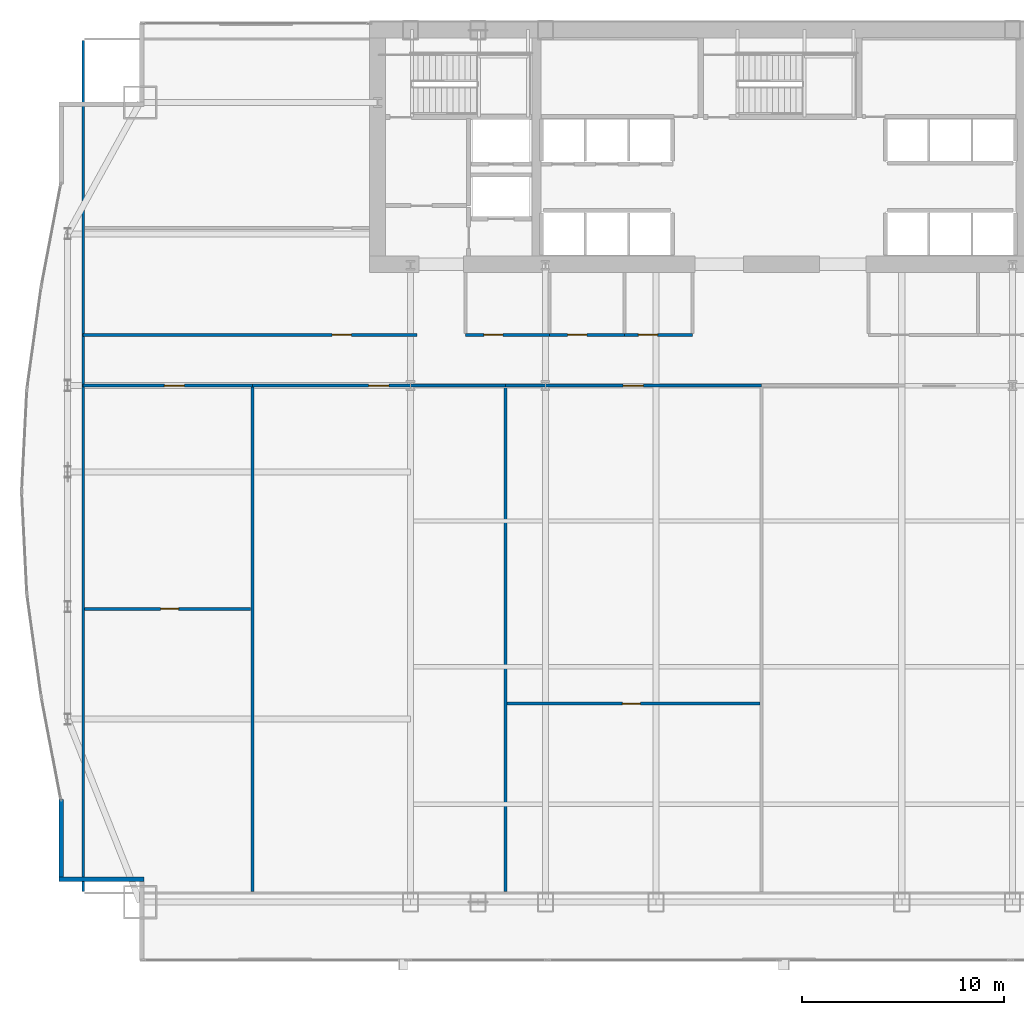
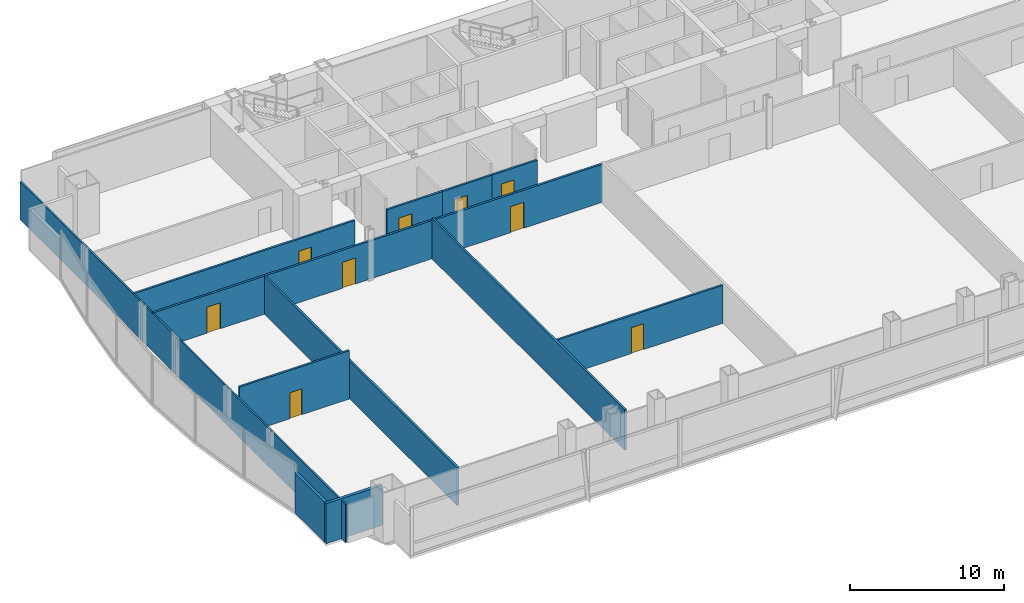
# One storey, part 30 of 37: 14 walls, 9 doors, 9 openings.
"""IFC4 building model written with IfcOpenShell, lengths in metres."""

from ifc_helpers import new_model, si_unit, direction, frame, frame_2d, origin, place, context, subcontext, project, spatial, rectangle, extrude, material, layer, layer_set, type_object, element, fill, save


model = new_model("IFC4")

# Units and contexts
model_context = context("Model", 3, precision=1e-05, world=origin(), true_north=direction((0.0, 1.0)))
body_context = subcontext(model_context, "Body", "Model", "MODEL_VIEW")
ifc_project = project(units=[si_unit("LENGTHUNIT", "METRE"), si_unit("AREAUNIT", "SQUARE_METRE"), si_unit("VOLUMEUNIT", "CUBIC_METRE"), si_unit("PLANEANGLEUNIT", "RADIAN"), si_unit("MASSUNIT", "GRAM", prefix="KILO")], contexts=[model_context])

# Site, building, storey
site_placement = place(None, origin())
site = spatial("IfcSite", under=ifc_project, at=site_placement, CompositionType="ELEMENT")
building_placement = place(site_placement, origin())
building = spatial("IfcBuilding", under=site, at=building_placement, Name="Khoronbel Lancet Exchange", CompositionType="ELEMENT")
storey_placement = place(building_placement, frame((0.0, 0.0, 45.800048828125)))
storey = spatial("IfcBuildingStorey", under=building, at=storey_placement, Name="L10", CompositionType="ELEMENT", Elevation=45.800048828125)

# Walls
ifc_material_1 = material(Name="Precast concrete C40/50", Category="concrete")
ifc_layer_1 = layer(ifc_material_1, 0.25, Name="Precast concrete C40/50")
ifc_layer_set_1 = layer_set([ifc_layer_1], Name="Precast concrete C40/50")
wall_type_1 = type_object("IfcWallType", Name="WL-EXT250", PredefinedType="SOLIDWALL", material=ifc_layer_set_1)
wall_1_placement = place(storey_placement, frame((5.050048828125, 11.2900390625, 0.0), z_axis=(0.0, 0.0, 1.0), x_axis=(-1.0, 0.0, 0.0)))
element("IfcWall", 1, at=wall_1_placement, inside=storey, type_object=wall_type_1, Name="Level L10 notched-corner limestone pier 02", PredefinedType="SOLIDWALL", context=body_context, shape_type="SweptSolid", body=[
    extrude(rectangle(XDim=4.219970703125, YDim=0.219970703125, at=frame_2d((2.10986328125, 0.0))), origin(), (0.0, 0.0, 1.0), 3.159912109375),
])
wall_2_placement = place(storey_placement, frame((0.93994140625, 11.39990234375, 0.0), z_axis=(0.0, 0.0, 1.0), x_axis=(0.0, 1.0, 0.0)))
element("IfcWall", 2, at=wall_2_placement, inside=storey, type_object=wall_type_1, Name="Level L10 notched-corner limestone pier 03", PredefinedType="SOLIDWALL", context=body_context, shape_type="SweptSolid", body=[
    extrude(rectangle(XDim=3.82861328125, YDim=0.219970703125, at=frame_2d((1.914306640625, 0.0))), origin(), (0.0, 0.0, 1.0), 3.159912109375),
])

# Wall, opening, door
ifc_material_2 = material(Name="Acoustic Metal-Stud & Mineral-Wool Gypsum Partition 120 mm", Category="gypsum")
ifc_layer_2 = layer(ifc_material_2, 0.1201171875, Name="Acoustic Metal-Stud & Mineral-Wool Gypsum Partition 120 mm")
ifc_layer_set_2 = layer_set([ifc_layer_2], Name="Acoustic Metal-Stud & Mineral-Wool Gypsum Partition 120 mm")
wall_type_2 = type_object("IfcWallType", Name="WL-PRT120", PredefinedType="PARTITIONING", material=ifc_layer_set_2)
wall_3_placement = place(storey_placement, frame((2.094970703125, 24.656005859375, 0.0), z_axis=(0.0, 0.0, 1.0), x_axis=(1.0, 0.0, 0.0)))
wall_3 = element("IfcWall", 3, at=wall_3_placement, inside=storey, type_object=wall_type_2, Name="Level L10 interior partition PW-Z1S-H1", PredefinedType="PARTITIONING", context=body_context, shape_type="SweptSolid", body=[
    extrude(rectangle(XDim=8.225341796875, YDim=0.14990234375, at=frame_2d((4.11279296875, 0.0))), origin(), (0.0, 0.0, 1.0), 3.820068359375),
])
opening_1_placement = place(wall_3_placement, frame((3.7666015625, 0.0, 0.0)))
opening_1 = element("IfcOpeningElement", 4, at=opening_1_placement, cuts=wall_3, Name="Opening D5", PredefinedType="OPENING", context=body_context, shape_type="SweptSolid", body=[
    extrude(rectangle(XDim=0.89990234375, YDim=2.050048828125, at=frame_2d((0.449951171875, 1.02490234375))), frame((0.0, 0.0849609375, 0.0), z_axis=(0.0, -1.0, 0.0), x_axis=(1.0, 0.0, 0.0)), (0.0, 0.0, 1.0), 0.169921875),
])
ifc_material_3 = material(Name="Acoustic Timber Pantry & Support Door", Category="wood")
door_type_1 = type_object("IfcDoorType", Name="DR-D5", OperationType="NOTDEFINED", PredefinedType="DOOR", material=ifc_material_3)
door_1_placement = place(opening_1_placement, origin())
door_1 = element("IfcDoor", 5, at=door_1_placement, inside=storey, type_object=door_type_1, Name="Z1S inner door 1 L10-1", OperationType="SINGLE_SWING_RIGHT", OverallHeight=2.050048828125, OverallWidth=0.89990234375, PredefinedType="DOOR", context=body_context, shape_type="SweptSolid", body=[
    extrude(rectangle(XDim=0.89990234375, YDim=2.050048828125, at=frame_2d((0.449951171875, 1.02490234375))), frame((0.0, 0.02490234375, 0.0), z_axis=(0.0, -1.0, 0.0), x_axis=(1.0, 0.0, 0.0)), (0.0, 0.0, 1.0), 0.050048828125),
])
fill(opening_1, door_1)

wall_4_placement = place(storey_placement, frame((22.994140625, 19.9658203125, 0.0), z_axis=(0.0, 0.0, 1.0), x_axis=(1.0, 0.0, 0.0)))
wall_4 = element("IfcWall", 6, at=wall_4_placement, inside=storey, type_object=wall_type_2, Name="Level L10 interior partition PW-Z1S-H3", PredefinedType="PARTITIONING", context=body_context, shape_type="SweptSolid", body=[
    extrude(rectangle(XDim=12.520751953125, YDim=0.14990234375, at=frame_2d((6.26025390625, 0.0))), origin(), (0.0, 0.0, 1.0), 3.010009765625),
])
opening_2_placement = place(wall_4_placement, frame((5.706298828125, 0.0, 0.0)))
opening_2 = element("IfcOpeningElement", 7, at=opening_2_placement, cuts=wall_4, Name="Opening D5", PredefinedType="OPENING", context=body_context, shape_type="SweptSolid", body=[
    extrude(rectangle(XDim=0.89990234375, YDim=2.050048828125, at=frame_2d((0.449951171875, 1.02490234375))), frame((0.0, 0.0849609375, 0.0), z_axis=(0.0, -1.0, 0.0), x_axis=(1.0, 0.0, 0.0)), (0.0, 0.0, 1.0), 0.169921875),
])
door_2_placement = place(opening_2_placement, origin())
door_2 = element("IfcDoor", 8, at=door_2_placement, inside=storey, type_object=door_type_1, Name="Z1S inner door 3 L10-1", OperationType="SINGLE_SWING_LEFT", OverallHeight=2.050048828125, OverallWidth=0.89990234375, PredefinedType="DOOR", context=body_context, shape_type="SweptSolid", body=[
    extrude(rectangle(XDim=0.89990234375, YDim=2.050048828125, at=frame_2d((0.449951171875, 1.02490234375))), frame((0.0, 0.02490234375, 0.0), z_axis=(0.0, -1.0, 0.0), x_axis=(1.0, 0.0, 0.0)), (0.0, 0.0, 1.0), 0.050048828125),
])
fill(opening_2, door_2)

# Wall
wall_5_placement = place(storey_placement, frame((2.030029296875, 10.6650390625, 0.0), z_axis=(0.0, 0.0, 1.0), x_axis=(0.0, 1.0, 0.0)))
element("IfcWall", 9, at=wall_5_placement, inside=storey, type_object=wall_type_2, Name="Level L10 interior partition PW-LIN-W", PredefinedType="PARTITIONING", context=body_context, shape_type="SweptSolid", body=[
    extrude(rectangle(XDim=42.10986328125, YDim=0.1201171875, at=frame_2d((21.054931640625, 0.0))), origin(), (0.0, 0.0, 1.0), 3.010009765625),
])

# Wall, opening, door
ifc_material_4 = material(Name="Fire-Rated Twin-Stud Acoustic Gypsum Partition 150 mm", Category="gypsum")
ifc_layer_3 = layer(ifc_material_4, 0.14990234375, Name="Fire-Rated Twin-Stud Acoustic Gypsum Partition 150 mm")
ifc_layer_set_3 = layer_set([ifc_layer_3], Name="Fire-Rated Twin-Stud Acoustic Gypsum Partition 150 mm")
wall_type_3 = type_object("IfcWallType", Name="WL-PRT150C", PredefinedType="PARTITIONING", material=ifc_layer_set_3)
wall_6_placement = place(storey_placement, frame((20.949951171875, 38.199951171875, 0.0), z_axis=(0.0, 0.0, 1.0), x_axis=(1.0, 0.0, 0.0)))
wall_6 = element("IfcWall", 10, at=wall_6_placement, inside=storey, type_object=wall_type_3, Name="Level L10 interior partition PW-WC-S1", PredefinedType="PARTITIONING", context=body_context, shape_type="SweptSolid", body=[
    extrude(rectangle(XDim=4.150146484375, YDim=0.14990234375, at=frame_2d((2.0751953125, 0.0))), origin(), (0.0, 0.0, 1.0), 3.010009765625),
])
opening_3_placement = place(wall_6_placement, frame((0.89990234375, 0.0, 0.0)))
opening_3 = element("IfcOpeningElement", 11, at=opening_3_placement, cuts=wall_6, Name="Opening D4", PredefinedType="OPENING", context=body_context, shape_type="SweptSolid", body=[
    extrude(rectangle(XDim=0.949951171875, YDim=2.050048828125, at=frame_2d((0.47509765625, 1.02490234375))), frame((0.0, 0.0849609375, 0.0), z_axis=(0.0, -1.0, 0.0), x_axis=(1.0, 0.0, 0.0)), (0.0, 0.0, 1.0), 0.169921875),
])
ifc_material_5 = material(Name="Moisture-Resistant HPL Washroom Door", Category="wood")
door_type_2 = type_object("IfcDoorType", Name="DR-D4", OperationType="NOTDEFINED", PredefinedType="DOOR", material=ifc_material_5)
door_3_placement = place(opening_3_placement, origin())
door_3 = element("IfcDoor", 12, at=door_3_placement, inside=storey, type_object=door_type_2, Name="Male washroom door L10-1", OperationType="SINGLE_SWING_RIGHT", OverallHeight=2.050048828125, OverallWidth=0.949951171875, PredefinedType="DOOR", context=body_context, shape_type="SweptSolid", body=[
    extrude(rectangle(XDim=0.949951171875, YDim=2.050048828125, at=frame_2d((0.47509765625, 1.02490234375))), frame((0.0, 0.02490234375, 0.0), z_axis=(0.0, -1.0, 0.0), x_axis=(1.0, 0.0, 0.0)), (0.0, 0.0, 1.0), 0.050048828125),
])
fill(opening_3, door_3)

wall_7_placement = place(storey_placement, frame((25.10009765625, 38.199951171875, 0.0), z_axis=(0.0, 0.0, 1.0), x_axis=(1.0, 0.0, 0.0)))
wall_7 = element("IfcWall", 13, at=wall_7_placement, inside=storey, type_object=wall_type_3, Name="Level L10 interior partition PW-WC-S2", PredefinedType="PARTITIONING", context=body_context, shape_type="SweptSolid", body=[
    extrude(rectangle(XDim=3.699951171875, YDim=0.14990234375, at=frame_2d((1.85009765625, 0.0))), origin(), (0.0, 0.0, 1.0), 3.010009765625),
])
opening_4_placement = place(wall_7_placement, frame((0.89990234375, 0.0, 0.0)))
opening_4 = element("IfcOpeningElement", 14, at=opening_4_placement, cuts=wall_7, Name="Opening D4", PredefinedType="OPENING", context=body_context, shape_type="SweptSolid", body=[
    extrude(rectangle(XDim=0.949951171875, YDim=2.050048828125, at=frame_2d((0.47509765625, 1.02490234375))), frame((0.0, 0.0849609375, 0.0), z_axis=(0.0, -1.0, 0.0), x_axis=(1.0, 0.0, 0.0)), (0.0, 0.0, 1.0), 0.169921875),
])
door_4_placement = place(opening_4_placement, origin())
door_4 = element("IfcDoor", 15, at=door_4_placement, inside=storey, type_object=door_type_2, Name="Female washroom door L10-1", OperationType="SINGLE_SWING_LEFT", OverallHeight=2.050048828125, OverallWidth=0.949951171875, PredefinedType="DOOR", context=body_context, shape_type="SweptSolid", body=[
    extrude(rectangle(XDim=0.949951171875, YDim=2.050048828125, at=frame_2d((0.47509765625, 1.02490234375))), frame((0.0, 0.02490234375, 0.0), z_axis=(0.0, -1.0, 0.0), x_axis=(1.0, 0.0, 0.0)), (0.0, 0.0, 1.0), 0.050048828125),
])
fill(opening_4, door_4)

wall_8_placement = place(storey_placement, frame((28.800048828125, 38.199951171875, 0.0), z_axis=(0.0, 0.0, 1.0), x_axis=(1.0, 0.0, 0.0)))
wall_8 = element("IfcWall", 16, at=wall_8_placement, inside=storey, type_object=wall_type_3, Name="Level L10 interior partition PW-WC-S3", PredefinedType="PARTITIONING", context=body_context, shape_type="SweptSolid", body=[
    extrude(rectangle(XDim=3.3798828125, YDim=0.14990234375, at=frame_2d((1.68994140625, 0.0))), origin(), (0.0, 0.0, 1.0), 3.010009765625),
])
opening_5_placement = place(wall_8_placement, frame((0.699951171875, 0.0, 0.0)))
opening_5 = element("IfcOpeningElement", 17, at=opening_5_placement, cuts=wall_8, Name="Opening D4", PredefinedType="OPENING", context=body_context, shape_type="SweptSolid", body=[
    extrude(rectangle(XDim=0.949951171875, YDim=2.050048828125, at=frame_2d((0.47509765625, 1.02490234375))), frame((0.0, 0.0849609375, 0.0), z_axis=(0.0, -1.0, 0.0), x_axis=(1.0, 0.0, 0.0)), (0.0, 0.0, 1.0), 0.169921875),
])
door_5_placement = place(opening_5_placement, origin())
door_5 = element("IfcDoor", 18, at=door_5_placement, inside=storey, type_object=door_type_2, Name="Accessible WC door L10-1", OperationType="SINGLE_SWING_RIGHT", OverallHeight=2.050048828125, OverallWidth=0.949951171875, PredefinedType="DOOR", context=body_context, shape_type="SweptSolid", body=[
    extrude(rectangle(XDim=0.949951171875, YDim=2.050048828125, at=frame_2d((0.47509765625, 1.02490234375))), frame((0.0, 0.02490234375, 0.0), z_axis=(0.0, -1.0, 0.0), x_axis=(1.0, 0.0, 0.0)), (0.0, 0.0, 1.0), 0.050048828125),
])
fill(opening_5, door_5)

wall_9_placement = place(storey_placement, frame((2.030029296875, 38.199951171875, 0.0), z_axis=(0.0, 0.0, 1.0), x_axis=(1.0, 0.0, 0.0)))
wall_9 = element("IfcWall", 19, at=wall_9_placement, inside=storey, type_object=wall_type_3, Name="Level L10 interior partition PW-NW-S", PredefinedType="PARTITIONING", context=body_context, shape_type="SweptSolid", body=[
    extrude(rectangle(XDim=16.52001953125, YDim=0.14990234375, at=frame_2d((8.260009765625, 0.0))), origin(), (0.0, 0.0, 1.0), 3.010009765625),
])
opening_6_placement = place(wall_9_placement, frame((12.320068359375, 0.0, 0.0)))
opening_6 = element("IfcOpeningElement", 20, at=opening_6_placement, cuts=wall_9, Name="Opening D1", PredefinedType="OPENING", context=body_context, shape_type="SweptSolid", body=[
    extrude(rectangle(XDim=0.949951171875, YDim=2.050048828125, at=frame_2d((0.47509765625, 1.02490234375))), frame((0.0, 0.0849609375, 0.0), z_axis=(0.0, -1.0, 0.0), x_axis=(1.0, 0.0, 0.0)), (0.0, 0.0, 1.0), 0.169921875),
])
ifc_material_6 = material(Name="Acoustic Veneered Timber & Bronze Frame Door", Category="wood")
door_type_3 = type_object("IfcDoorType", Name="DR-D1", OperationType="NOTDEFINED", PredefinedType="DOOR", material=ifc_material_6)
door_6_placement = place(opening_6_placement, origin())
door_6 = element("IfcDoor", 21, at=door_6_placement, inside=storey, type_object=door_type_3, Name="NW corner room door L10-1", OperationType="SINGLE_SWING_LEFT", OverallHeight=2.050048828125, OverallWidth=0.949951171875, PredefinedType="DOOR", context=body_context, shape_type="SweptSolid", body=[
    extrude(rectangle(XDim=0.949951171875, YDim=2.050048828125, at=frame_2d((0.47509765625, 1.02490234375))), frame((0.0, 0.02490234375, 0.0), z_axis=(0.0, -1.0, 0.0), x_axis=(1.0, 0.0, 0.0)), (0.0, 0.0, 1.0), 0.050048828125),
])
fill(opening_6, door_6)

# Walls
wall_10_placement = place(storey_placement, frame((10.400390625, 10.6650390625, 0.0), z_axis=(0.0, 0.0, 1.0), x_axis=(0.0, 1.0, 0.0)))
element("IfcWall", 22, at=wall_10_placement, inside=storey, type_object=wall_type_3, Name="Level L10 interior partition PW-Z1S-V1", PredefinedType="PARTITIONING", context=body_context, shape_type="SweptSolid", body=[
    extrude(rectangle(XDim=24.949951171875, YDim=0.14990234375, at=frame_2d((12.47509765625, 0.0))), origin(), (0.0, 0.0, 1.0), 3.010009765625),
])
wall_11_placement = place(storey_placement, frame((22.914306640625, 10.6650390625, 0.0), z_axis=(0.0, 0.0, 1.0), x_axis=(0.0, 1.0, 0.0)))
element("IfcWall", 23, at=wall_11_placement, inside=storey, type_object=wall_type_3, Name="Level L10 interior partition PW-Z1S-V2", PredefinedType="PARTITIONING", context=body_context, shape_type="SweptSolid", body=[
    extrude(rectangle(XDim=24.949951171875, YDim=0.14990234375, at=frame_2d((12.47509765625, 0.0))), origin(), (0.0, 0.0, 1.0), 3.2099609375),
])

# Wall, opening, door
ifc_material_7 = material(Name="Fire-Rated Twin-Stud Acoustic Gypsum Partition 160 mm", Category="gypsum")
ifc_layer_4 = layer(ifc_material_7, 0.159912109375, Name="Fire-Rated Twin-Stud Acoustic Gypsum Partition 160 mm")
ifc_layer_set_4 = layer_set([ifc_layer_4], Name="Fire-Rated Twin-Stud Acoustic Gypsum Partition 160 mm")
wall_type_4 = type_object("IfcWallType", Name="WL-PRT160C", PredefinedType="PARTITIONING", material=ifc_layer_set_4)
wall_12_placement = place(storey_placement, frame((2.030029296875, 35.699951171875, 0.0), z_axis=(0.0, 0.0, 1.0), x_axis=(1.0, 0.0, 0.0)))
wall_12 = element("IfcWall", 24, at=wall_12_placement, inside=storey, type_object=wall_type_4, Name="Level L10 interior partition PW-Z1S-COR1", PredefinedType="PARTITIONING", context=body_context, shape_type="SweptSolid", body=[
    extrude(rectangle(XDim=8.370361328125, YDim=0.159912109375, at=frame_2d((4.18505859375, 0.0))), origin(), (0.0, 0.0, 1.0), 3.010009765625),
])
opening_7_placement = place(wall_12_placement, frame((4.015625, 0.0, 0.0)))
opening_7 = element("IfcOpeningElement", 25, at=opening_7_placement, cuts=wall_12, Name="Opening D2", PredefinedType="OPENING", context=body_context, shape_type="SweptSolid", body=[
    extrude(rectangle(XDim=1.0, YDim=2.050048828125, at=frame_2d((0.5, 1.02490234375))), frame((0.0, 0.08984375, 0.0), z_axis=(0.0, -1.0, 0.0), x_axis=(1.0, 0.0, 0.0)), (0.0, 0.0, 1.0), 0.179931640625),
])
door_type_4 = type_object("IfcDoorType", Name="DR-D2", OperationType="NOTDEFINED", PredefinedType="DOOR", material=ifc_material_6)
door_7_placement = place(opening_7_placement, origin())
door_7 = element("IfcDoor", 26, at=door_7_placement, inside=storey, type_object=door_type_4, Name="Z1S bay 1 door L10-1", OperationType="SINGLE_SWING_LEFT", OverallHeight=2.050048828125, OverallWidth=1.0, PredefinedType="DOOR", context=body_context, shape_type="SweptSolid", body=[
    extrude(rectangle(XDim=1.0, YDim=2.050048828125, at=frame_2d((0.5, 1.02490234375))), frame((0.0, 0.02490234375, 0.0), z_axis=(0.0, -1.0, 0.0), x_axis=(1.0, 0.0, 0.0)), (0.0, 0.0, 1.0), 0.050048828125),
])
fill(opening_7, door_7)

wall_13_placement = place(storey_placement, frame((10.400390625, 35.699951171875, 0.0), z_axis=(0.0, 0.0, 1.0), x_axis=(1.0, 0.0, 0.0)))
wall_13 = element("IfcWall", 27, at=wall_13_placement, inside=storey, type_object=wall_type_4, Name="Level L10 interior partition PW-Z1S-COR2", PredefinedType="PARTITIONING", context=body_context, shape_type="SweptSolid", body=[
    extrude(rectangle(XDim=12.513916015625, YDim=0.159912109375, at=frame_2d((6.2568359375, 0.0))), origin(), (0.0, 0.0, 1.0), 3.010009765625),
])
opening_8_placement = place(wall_13_placement, frame((5.755859375, 0.0, 0.0)))
opening_8 = element("IfcOpeningElement", 28, at=opening_8_placement, cuts=wall_13, Name="Opening D2", PredefinedType="OPENING", context=body_context, shape_type="SweptSolid", body=[
    extrude(rectangle(XDim=1.0, YDim=2.050048828125, at=frame_2d((0.5, 1.02490234375))), frame((0.0, 0.08984375, 0.0), z_axis=(0.0, -1.0, 0.0), x_axis=(1.0, 0.0, 0.0)), (0.0, 0.0, 1.0), 0.179931640625),
])
door_8_placement = place(opening_8_placement, origin())
door_8 = element("IfcDoor", 29, at=door_8_placement, inside=storey, type_object=door_type_4, Name="Z1S bay 2 door L10-1", OperationType="SINGLE_SWING_LEFT", OverallHeight=2.050048828125, OverallWidth=1.0, PredefinedType="DOOR", context=body_context, shape_type="SweptSolid", body=[
    extrude(rectangle(XDim=1.0, YDim=2.050048828125, at=frame_2d((0.5, 1.02490234375))), frame((0.0, 0.02490234375, 0.0), z_axis=(0.0, -1.0, 0.0), x_axis=(1.0, 0.0, 0.0)), (0.0, 0.0, 1.0), 0.050048828125),
])
fill(opening_8, door_8)

wall_14_placement = place(storey_placement, frame((22.914306640625, 35.699951171875, 0.0), z_axis=(0.0, 0.0, 1.0), x_axis=(1.0, 0.0, 0.0)))
wall_14 = element("IfcWall", 30, at=wall_14_placement, inside=storey, type_object=wall_type_4, Name="Level L10 interior partition PW-Z1S-COR3", PredefinedType="PARTITIONING", context=body_context, shape_type="SweptSolid", body=[
    extrude(rectangle(XDim=12.6806640625, YDim=0.159912109375, at=frame_2d((6.34033203125, 0.0))), origin(), (0.0, 0.0, 1.0), 3.010009765625),
])
opening_9_placement = place(wall_14_placement, frame((5.825927734375, 0.0, 0.0)))
opening_9 = element("IfcOpeningElement", 31, at=opening_9_placement, cuts=wall_14, Name="Opening D2", PredefinedType="OPENING", context=body_context, shape_type="SweptSolid", body=[
    extrude(rectangle(XDim=1.0, YDim=2.050048828125, at=frame_2d((0.5, 1.02490234375))), frame((0.0, 0.08984375, 0.0), z_axis=(0.0, -1.0, 0.0), x_axis=(1.0, 0.0, 0.0)), (0.0, 0.0, 1.0), 0.179931640625),
])
door_9_placement = place(opening_9_placement, origin())
door_9 = element("IfcDoor", 32, at=door_9_placement, inside=storey, type_object=door_type_4, Name="Z1S bay 3 door L10-1", OperationType="SINGLE_SWING_RIGHT", OverallHeight=2.050048828125, OverallWidth=1.0, PredefinedType="DOOR", context=body_context, shape_type="SweptSolid", body=[
    extrude(rectangle(XDim=1.0, YDim=2.050048828125, at=frame_2d((0.5, 1.02490234375))), frame((0.0, 0.02490234375, 0.0), z_axis=(0.0, -1.0, 0.0), x_axis=(1.0, 0.0, 0.0)), (0.0, 0.0, 1.0), 0.050048828125),
])
fill(opening_9, door_9)

save(model, "model.ifc")
